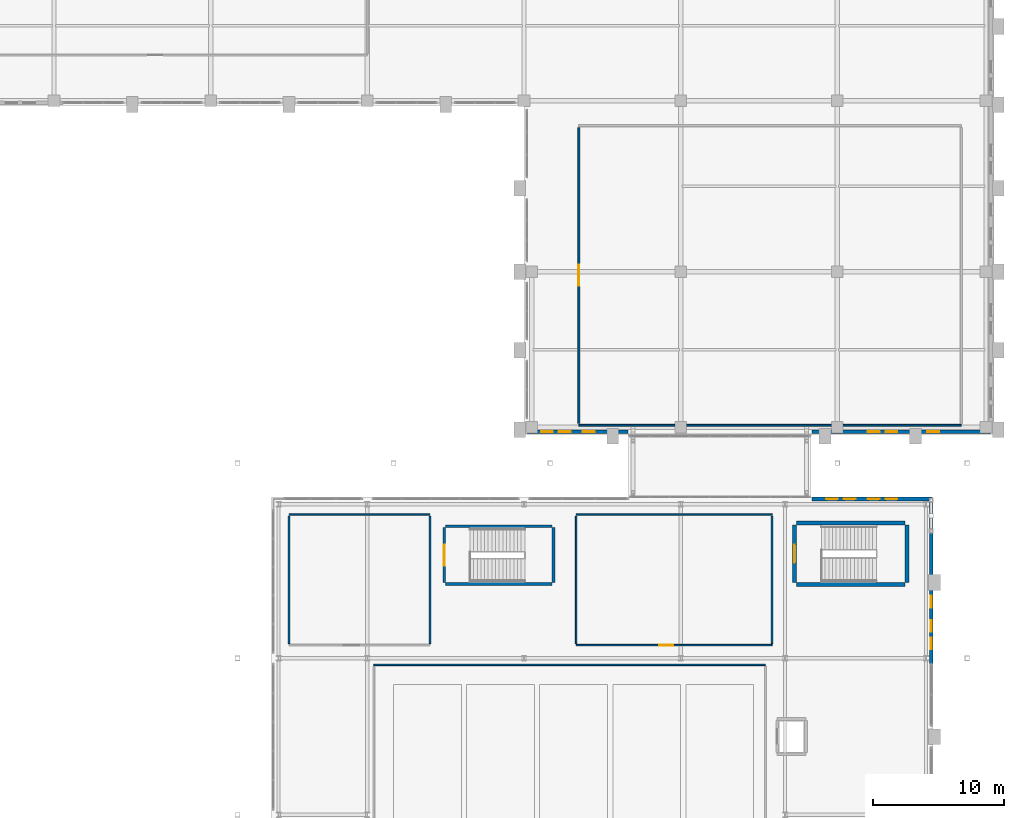
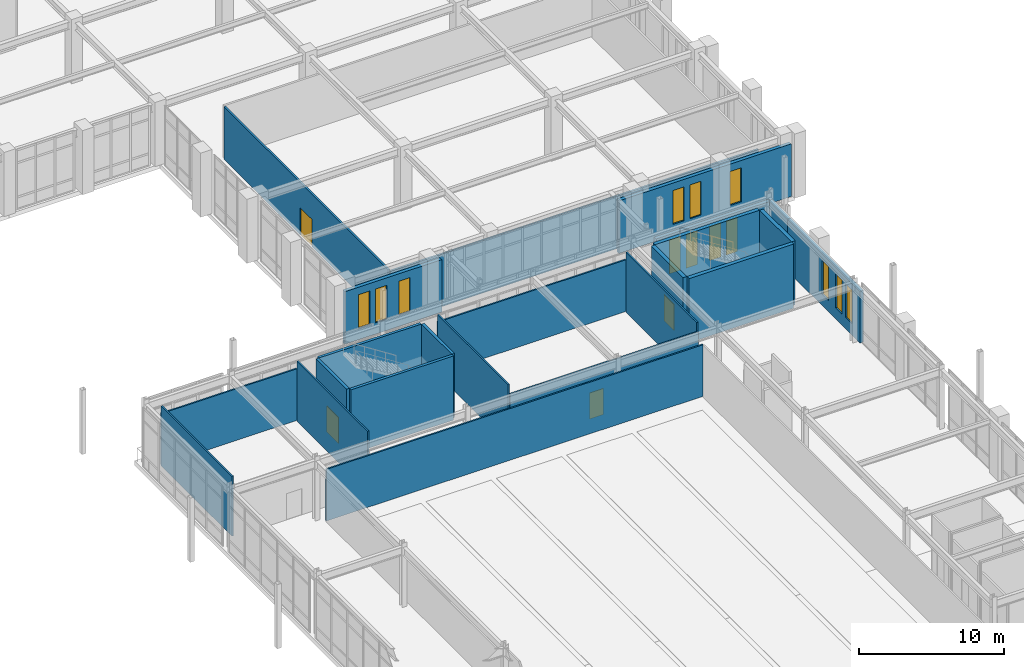
# One storey, part 135 of 159: 23 walls, 13 windows, 4 doors, 17 openings.
"""IFC4 building model written with IfcOpenShell, lengths in metres."""

from ifc_helpers import new_model, si_unit, derived_unit, direction, frame, frame_2d, origin, place, context, subcontext, project, spatial, rectangle, extrude, material, layer, layer_set, type_object, element, fill, save


model = new_model("IFC4")

# Units and contexts
model_context = context("Model", 3, precision=1e-05, world=origin(), true_north=direction((0.0, 1.0)))
body_context = subcontext(model_context, "Body", "Model", "MODEL_VIEW")
ifc_project = project(units=[si_unit("LENGTHUNIT", "METRE"), si_unit("AREAUNIT", "SQUARE_METRE"), si_unit("VOLUMEUNIT", "CUBIC_METRE"), si_unit("PLANEANGLEUNIT", "RADIAN"), si_unit("MASSUNIT", "GRAM", prefix="KILO"), derived_unit("THERMALTRANSMITTANCEUNIT", [(si_unit("MASSUNIT", "GRAM", prefix="KILO"), 1), (si_unit("TIMEUNIT", "SECOND"), -3), (si_unit("THERMODYNAMICTEMPERATUREUNIT", "KELVIN"), -1)])], contexts=[model_context])

# Site, building, storey
site_placement = place(None, origin())
site = spatial("IfcSite", under=ifc_project, at=site_placement, CompositionType="ELEMENT")
building_placement = place(site_placement, origin())
building = spatial("IfcBuilding", under=site, at=building_placement, Name="Valcora Ridge Arena", CompositionType="ELEMENT")
storey_placement = place(building_placement, frame((0.0, 0.0, 6.0)))
storey = spatial("IfcBuildingStorey", under=building, at=storey_placement, Name="L01", CompositionType="ELEMENT", Elevation=6.0)

# Wall, openings, windows
ifc_material_1 = material(Name="Bush-hammered Andean travertine on concrete backup C40/50", Category="masonry")
ifc_layer_1 = layer(ifc_material_1, 0.280029296875, Name="Bush-hammered Andean travertine on concrete backup C40/50")
ifc_layer_set_1 = layer_set([ifc_layer_1], Name="Bush-hammered Andean travertine on concrete backup C40/50")
wall_type_1 = type_object("IfcWallType", Name="TY-WALL-EW-TRV-28-43", PredefinedType="STANDARD", material=ifc_layer_set_1)
wall_1_placement = place(storey_placement, frame((187.199951171875, 65.580078125, 0.0), z_axis=(0.0, 0.0, 1.0), x_axis=(0.0, 1.0, 0.0)))
wall_1 = element("IfcWall", 1, at=wall_1_placement, inside=storey, type_object=wall_type_1, Name="EW-TRV-28-43 WAL-EW-0017", PredefinedType="STANDARD", context=body_context, shape_type="SweptSolid", body=[
    extrude(rectangle(XDim=10.02001953125, YDim=0.280029296875, at=frame_2d((5.010009765625, 0.0))), origin(), (0.0, 0.0, 1.0), 4.346923828125),
])
opening_1_placement = place(wall_1_placement, frame((1.10009765625, 0.0, 0.949951171875)))
opening_1 = element("IfcOpeningElement", 2, at=opening_1_placement, cuts=wall_1, Name="Opening W-GLAN-90X285", PredefinedType="OPENING", context=body_context, shape_type="SweptSolid", body=[
    extrude(rectangle(XDim=0.89990234375, YDim=2.85009765625, at=frame_2d((0.449951171875, 1.425048828125))), frame((0.0, 0.14990234375, 0.0), z_axis=(0.0, -1.0, 0.0), x_axis=(1.0, 0.0, 0.0)), (0.0, 0.0, 1.0), 0.300048828125),
])
opening_2_placement = place(wall_1_placement, frame((2.449951171875, 0.0, 0.949951171875)))
opening_2 = element("IfcOpeningElement", 3, at=opening_2_placement, cuts=wall_1, Name="Opening W-GLAN-90X285", PredefinedType="OPENING", context=body_context, shape_type="SweptSolid", body=[
    extrude(rectangle(XDim=0.89990234375, YDim=2.85009765625, at=frame_2d((0.449951171875, 1.425048828125))), frame((0.0, 0.14990234375, 0.0), z_axis=(0.0, -1.0, 0.0), x_axis=(1.0, 0.0, 0.0)), (0.0, 0.0, 1.0), 0.300048828125),
])
opening_3_placement = place(wall_1_placement, frame((4.300048828125, 0.0, 0.949951171875)))
opening_3 = element("IfcOpeningElement", 4, at=opening_3_placement, cuts=wall_1, Name="Opening W-GLAN-90X285", PredefinedType="OPENING", context=body_context, shape_type="SweptSolid", body=[
    extrude(rectangle(XDim=0.89990234375, YDim=2.85009765625, at=frame_2d((0.449951171875, 1.425048828125))), frame((0.0, 0.14990234375, 0.0), z_axis=(0.0, -1.0, 0.0), x_axis=(1.0, 0.0, 0.0)), (0.0, 0.0, 1.0), 0.300048828125),
])
ifc_material_2 = material(Name="Low-iron solar-control double glazing SHGC 0.28", Category="glass")
window_type = type_object("IfcWindowType", Name="TY-WINDOW-W-GLAN-90X285", PartitioningType="DOUBLE_PANEL_VERTICAL", PredefinedType="WINDOW", material=ifc_material_2)
window_1_placement = place(opening_1_placement, origin())
window_1 = element("IfcWindow", 5, at=window_1_placement, inside=storey, type_object=window_type, Name="W-GLAN-90X285 WIN-EX-0008", OverallHeight=2.85009765625, OverallWidth=0.89990234375, PartitioningType="DOUBLE_PANEL_VERTICAL", PredefinedType="WINDOW", context=body_context, shape_type="SweptSolid", body=[
    extrude(rectangle(XDim=0.89990234375, YDim=2.85009765625, at=frame_2d((0.449951171875, 1.425048828125))), frame((0.0, 0.030029296875, 0.0), z_axis=(0.0, -1.0, 0.0), x_axis=(1.0, 0.0, 0.0)), (0.0, 0.0, 1.0), 0.06005859375),
])
fill(opening_1, window_1)
window_2_placement = place(opening_2_placement, origin())
window_2 = element("IfcWindow", 6, at=window_2_placement, inside=storey, type_object=window_type, Name="W-GLAN-90X285 WIN-EX-0009", OverallHeight=2.85009765625, OverallWidth=0.89990234375, PartitioningType="DOUBLE_PANEL_VERTICAL", PredefinedType="WINDOW", context=body_context, shape_type="SweptSolid", body=[
    extrude(rectangle(XDim=0.89990234375, YDim=2.85009765625, at=frame_2d((0.449951171875, 1.425048828125))), frame((0.0, 0.030029296875, 0.0), z_axis=(0.0, -1.0, 0.0), x_axis=(1.0, 0.0, 0.0)), (0.0, 0.0, 1.0), 0.06005859375),
])
fill(opening_2, window_2)
window_3_placement = place(opening_3_placement, origin())
window_3 = element("IfcWindow", 7, at=window_3_placement, inside=storey, type_object=window_type, Name="W-GLAN-90X285 WIN-EX-0010", OverallHeight=2.85009765625, OverallWidth=0.89990234375, PartitioningType="DOUBLE_PANEL_VERTICAL", PredefinedType="WINDOW", context=body_context, shape_type="SweptSolid", body=[
    extrude(rectangle(XDim=0.89990234375, YDim=2.85009765625, at=frame_2d((0.449951171875, 1.425048828125))), frame((0.0, 0.030029296875, 0.0), z_axis=(0.0, -1.0, 0.0), x_axis=(1.0, 0.0, 0.0)), (0.0, 0.0, 1.0), 0.06005859375),
])
fill(opening_3, window_3)

# Wall
wall_2_placement = place(storey_placement, frame((187.199951171875, 75.60009765625, 0.0), z_axis=(0.0, 0.0, 1.0), x_axis=(0.0, 1.0, 0.0)))
element("IfcWall", 8, at=wall_2_placement, inside=storey, type_object=wall_type_1, Name="EW-TRV-28-43 WAL-EW-0018", PredefinedType="STANDARD", context=body_context, shape_type="SweptSolid", body=[
    extrude(rectangle(XDim=2.599853515625, YDim=0.280029296875, at=frame_2d((1.2998046875, 0.0))), origin(), (0.0, 0.0, 1.0), 4.346923828125),
])

# Wall, openings, windows
wall_3_placement = place(storey_placement, frame((178.050048828125, 78.199951171875, 0.0), z_axis=(0.0, 0.0, 1.0), x_axis=(1.0, 0.0, 0.0)))
wall_3 = element("IfcWall", 9, at=wall_3_placement, inside=storey, type_object=wall_type_1, Name="EW-TRV-28-43 WAL-EW-0019", PredefinedType="STANDARD", context=body_context, shape_type="SweptSolid", body=[
    extrude(rectangle(XDim=9.14990234375, YDim=0.280029296875, at=frame_2d((4.574951171875, 0.0))), origin(), (0.0, 0.0, 1.0), 4.346923828125),
])
opening_4_placement = place(wall_3_placement, frame((1.10009765625, 0.0, 0.949951171875)))
opening_4 = element("IfcOpeningElement", 10, at=opening_4_placement, cuts=wall_3, Name="Opening W-GLAN-90X285", PredefinedType="OPENING", context=body_context, shape_type="SweptSolid", body=[
    extrude(rectangle(XDim=0.89990234375, YDim=2.85009765625, at=frame_2d((0.449951171875, 1.425048828125))), frame((0.0, 0.14990234375, 0.0), z_axis=(0.0, -1.0, 0.0), x_axis=(1.0, 0.0, 0.0)), (0.0, 0.0, 1.0), 0.300048828125),
])
opening_5_placement = place(wall_3_placement, frame((2.449951171875, 0.0, 0.949951171875)))
opening_5 = element("IfcOpeningElement", 11, at=opening_5_placement, cuts=wall_3, Name="Opening W-GLAN-90X285", PredefinedType="OPENING", context=body_context, shape_type="SweptSolid", body=[
    extrude(rectangle(XDim=0.89990234375, YDim=2.85009765625, at=frame_2d((0.449951171875, 1.425048828125))), frame((0.0, 0.14990234375, 0.0), z_axis=(0.0, -1.0, 0.0), x_axis=(1.0, 0.0, 0.0)), (0.0, 0.0, 1.0), 0.300048828125),
])
opening_6_placement = place(wall_3_placement, frame((4.300048828125, 0.0, 0.949951171875)))
opening_6 = element("IfcOpeningElement", 12, at=opening_6_placement, cuts=wall_3, Name="Opening W-GLAN-90X285", PredefinedType="OPENING", context=body_context, shape_type="SweptSolid", body=[
    extrude(rectangle(XDim=0.89990234375, YDim=2.85009765625, at=frame_2d((0.449951171875, 1.425048828125))), frame((0.0, 0.14990234375, 0.0), z_axis=(0.0, -1.0, 0.0), x_axis=(1.0, 0.0, 0.0)), (0.0, 0.0, 1.0), 0.300048828125),
])
opening_7_placement = place(wall_3_placement, frame((5.64990234375, 0.0, 0.949951171875)))
opening_7 = element("IfcOpeningElement", 13, at=opening_7_placement, cuts=wall_3, Name="Opening W-GLAN-90X285", PredefinedType="OPENING", context=body_context, shape_type="SweptSolid", body=[
    extrude(rectangle(XDim=0.89990234375, YDim=2.85009765625, at=frame_2d((0.449951171875, 1.425048828125))), frame((0.0, 0.14990234375, 0.0), z_axis=(0.0, -1.0, 0.0), x_axis=(1.0, 0.0, 0.0)), (0.0, 0.0, 1.0), 0.300048828125),
])
window_4_placement = place(opening_4_placement, origin())
window_4 = element("IfcWindow", 14, at=window_4_placement, inside=storey, type_object=window_type, Name="W-GLAN-90X285 WIN-EX-0011", OverallHeight=2.85009765625, OverallWidth=0.89990234375, PartitioningType="DOUBLE_PANEL_VERTICAL", PredefinedType="WINDOW", context=body_context, shape_type="SweptSolid", body=[
    extrude(rectangle(XDim=0.89990234375, YDim=2.85009765625, at=frame_2d((0.449951171875, 1.425048828125))), frame((0.0, 0.030029296875, 0.0), z_axis=(0.0, -1.0, 0.0), x_axis=(1.0, 0.0, 0.0)), (0.0, 0.0, 1.0), 0.06005859375),
])
fill(opening_4, window_4)
window_5_placement = place(opening_5_placement, origin())
window_5 = element("IfcWindow", 15, at=window_5_placement, inside=storey, type_object=window_type, Name="W-GLAN-90X285 WIN-EX-0012", OverallHeight=2.85009765625, OverallWidth=0.89990234375, PartitioningType="DOUBLE_PANEL_VERTICAL", PredefinedType="WINDOW", context=body_context, shape_type="SweptSolid", body=[
    extrude(rectangle(XDim=0.89990234375, YDim=2.85009765625, at=frame_2d((0.449951171875, 1.425048828125))), frame((0.0, 0.030029296875, 0.0), z_axis=(0.0, -1.0, 0.0), x_axis=(1.0, 0.0, 0.0)), (0.0, 0.0, 1.0), 0.06005859375),
])
fill(opening_5, window_5)
window_6_placement = place(opening_6_placement, origin())
window_6 = element("IfcWindow", 16, at=window_6_placement, inside=storey, type_object=window_type, Name="W-GLAN-90X285 WIN-EX-0013", OverallHeight=2.85009765625, OverallWidth=0.89990234375, PartitioningType="DOUBLE_PANEL_VERTICAL", PredefinedType="WINDOW", context=body_context, shape_type="SweptSolid", body=[
    extrude(rectangle(XDim=0.89990234375, YDim=2.85009765625, at=frame_2d((0.449951171875, 1.425048828125))), frame((0.0, 0.030029296875, 0.0), z_axis=(0.0, -1.0, 0.0), x_axis=(1.0, 0.0, 0.0)), (0.0, 0.0, 1.0), 0.06005859375),
])
fill(opening_6, window_6)
window_7_placement = place(opening_7_placement, origin())
window_7 = element("IfcWindow", 17, at=window_7_placement, inside=storey, type_object=window_type, Name="W-GLAN-90X285 WIN-EX-0014", OverallHeight=2.85009765625, OverallWidth=0.89990234375, PartitioningType="DOUBLE_PANEL_VERTICAL", PredefinedType="WINDOW", context=body_context, shape_type="SweptSolid", body=[
    extrude(rectangle(XDim=0.89990234375, YDim=2.85009765625, at=frame_2d((0.449951171875, 1.425048828125))), frame((0.0, 0.030029296875, 0.0), z_axis=(0.0, -1.0, 0.0), x_axis=(1.0, 0.0, 0.0)), (0.0, 0.0, 1.0), 0.06005859375),
])
fill(opening_7, window_7)

ifc_layer_2 = layer(ifc_material_1, 0.280029296875, Name="Bush-hammered Andean travertine on concrete backup C40/50")
ifc_layer_set_2 = layer_set([ifc_layer_2], Name="Bush-hammered Andean travertine on concrete backup C40/50")
wall_type_2 = type_object("IfcWallType", Name="TY-WALL-EW-TRV-28-44", PredefinedType="STANDARD", material=ifc_layer_set_2)
wall_4_placement = place(storey_placement, frame((156.219970703125, 83.35009765625, 0.0), z_axis=(0.0, 0.0, 1.0), x_axis=(1.0, 0.0, 0.0)))
wall_4 = element("IfcWall", 18, at=wall_4_placement, inside=storey, type_object=wall_type_2, Name="EW-TRV-28-44 WAL-EW-0163", PredefinedType="STANDARD", context=body_context, shape_type="SweptSolid", body=[
    extrude(rectangle(XDim=7.72998046875, YDim=0.280029296875, at=frame_2d((3.864990234375, 0.0))), origin(), (0.0, 0.0, 1.0), 4.427978515625),
])
opening_8_placement = place(wall_4_placement, frame((1.10009765625, 0.0, 0.949951171875)))
opening_8 = element("IfcOpeningElement", 19, at=opening_8_placement, cuts=wall_4, Name="Opening W-GLAN-90X285", PredefinedType="OPENING", context=body_context, shape_type="SweptSolid", body=[
    extrude(rectangle(XDim=0.89990234375, YDim=2.85009765625, at=frame_2d((0.449951171875, 1.425048828125))), frame((0.0, 0.14990234375, 0.0), z_axis=(0.0, -1.0, 0.0), x_axis=(1.0, 0.0, 0.0)), (0.0, 0.0, 1.0), 0.300048828125),
])
opening_9_placement = place(wall_4_placement, frame((2.449951171875, 0.0, 0.949951171875)))
opening_9 = element("IfcOpeningElement", 20, at=opening_9_placement, cuts=wall_4, Name="Opening W-GLAN-90X285", PredefinedType="OPENING", context=body_context, shape_type="SweptSolid", body=[
    extrude(rectangle(XDim=0.89990234375, YDim=2.85009765625, at=frame_2d((0.449951171875, 1.425048828125))), frame((0.0, 0.14990234375, 0.0), z_axis=(0.0, -1.0, 0.0), x_axis=(1.0, 0.0, 0.0)), (0.0, 0.0, 1.0), 0.300048828125),
])
opening_10_placement = place(wall_4_placement, frame((4.300048828125, 0.0, 0.949951171875)))
opening_10 = element("IfcOpeningElement", 21, at=opening_10_placement, cuts=wall_4, Name="Opening W-GLAN-90X285", PredefinedType="OPENING", context=body_context, shape_type="SweptSolid", body=[
    extrude(rectangle(XDim=0.89990234375, YDim=2.85009765625, at=frame_2d((0.449951171875, 1.425048828125))), frame((0.0, 0.14990234375, 0.0), z_axis=(0.0, -1.0, 0.0), x_axis=(1.0, 0.0, 0.0)), (0.0, 0.0, 1.0), 0.300048828125),
])
window_8_placement = place(opening_8_placement, origin())
window_8 = element("IfcWindow", 22, at=window_8_placement, inside=storey, type_object=window_type, Name="W-GLAN-90X285 WIN-EX-0494", OverallHeight=2.85009765625, OverallWidth=0.89990234375, PartitioningType="DOUBLE_PANEL_VERTICAL", PredefinedType="WINDOW", context=body_context, shape_type="SweptSolid", body=[
    extrude(rectangle(XDim=0.89990234375, YDim=2.85009765625, at=frame_2d((0.449951171875, 1.425048828125))), frame((0.0, 0.030029296875, 0.0), z_axis=(0.0, -1.0, 0.0), x_axis=(1.0, 0.0, 0.0)), (0.0, 0.0, 1.0), 0.06005859375),
])
fill(opening_8, window_8)
window_9_placement = place(opening_9_placement, origin())
window_9 = element("IfcWindow", 23, at=window_9_placement, inside=storey, type_object=window_type, Name="W-GLAN-90X285 WIN-EX-0495", OverallHeight=2.85009765625, OverallWidth=0.89990234375, PartitioningType="DOUBLE_PANEL_VERTICAL", PredefinedType="WINDOW", context=body_context, shape_type="SweptSolid", body=[
    extrude(rectangle(XDim=0.89990234375, YDim=2.85009765625, at=frame_2d((0.449951171875, 1.425048828125))), frame((0.0, 0.030029296875, 0.0), z_axis=(0.0, -1.0, 0.0), x_axis=(1.0, 0.0, 0.0)), (0.0, 0.0, 1.0), 0.06005859375),
])
fill(opening_9, window_9)
window_10_placement = place(opening_10_placement, origin())
window_10 = element("IfcWindow", 24, at=window_10_placement, inside=storey, type_object=window_type, Name="W-GLAN-90X285 WIN-EX-0496", OverallHeight=2.85009765625, OverallWidth=0.89990234375, PartitioningType="DOUBLE_PANEL_VERTICAL", PredefinedType="WINDOW", context=body_context, shape_type="SweptSolid", body=[
    extrude(rectangle(XDim=0.89990234375, YDim=2.85009765625, at=frame_2d((0.449951171875, 1.425048828125))), frame((0.0, 0.030029296875, 0.0), z_axis=(0.0, -1.0, 0.0), x_axis=(1.0, 0.0, 0.0)), (0.0, 0.0, 1.0), 0.06005859375),
])
fill(opening_10, window_10)

wall_5_placement = place(storey_placement, frame((178.050048828125, 83.35009765625, 0.0), z_axis=(0.0, 0.0, 1.0), x_axis=(1.0, 0.0, 0.0)))
wall_5 = element("IfcWall", 25, at=wall_5_placement, inside=storey, type_object=wall_type_2, Name="EW-TRV-28-44 WAL-EW-0164", PredefinedType="STANDARD", context=body_context, shape_type="SweptSolid", body=[
    extrude(rectangle(XDim=13.72998046875, YDim=0.280029296875, at=frame_2d((6.864990234375, 0.0))), origin(), (0.0, 0.0, 1.0), 4.427978515625),
])
opening_11_placement = place(wall_5_placement, frame((4.300048828125, 0.0, 0.949951171875)))
opening_11 = element("IfcOpeningElement", 26, at=opening_11_placement, cuts=wall_5, Name="Opening W-GLAN-90X285", PredefinedType="OPENING", context=body_context, shape_type="SweptSolid", body=[
    extrude(rectangle(XDim=0.89990234375, YDim=2.85009765625, at=frame_2d((0.449951171875, 1.425048828125))), frame((0.0, 0.14990234375, 0.0), z_axis=(0.0, -1.0, 0.0), x_axis=(1.0, 0.0, 0.0)), (0.0, 0.0, 1.0), 0.300048828125),
])
opening_12_placement = place(wall_5_placement, frame((5.64990234375, 0.0, 0.949951171875)))
opening_12 = element("IfcOpeningElement", 27, at=opening_12_placement, cuts=wall_5, Name="Opening W-GLAN-90X285", PredefinedType="OPENING", context=body_context, shape_type="SweptSolid", body=[
    extrude(rectangle(XDim=0.89990234375, YDim=2.85009765625, at=frame_2d((0.449951171875, 1.425048828125))), frame((0.0, 0.14990234375, 0.0), z_axis=(0.0, -1.0, 0.0), x_axis=(1.0, 0.0, 0.0)), (0.0, 0.0, 1.0), 0.300048828125),
])
opening_13_placement = place(wall_5_placement, frame((8.85009765625, 0.0, 0.949951171875)))
opening_13 = element("IfcOpeningElement", 28, at=opening_13_placement, cuts=wall_5, Name="Opening W-GLAN-90X285", PredefinedType="OPENING", context=body_context, shape_type="SweptSolid", body=[
    extrude(rectangle(XDim=0.89990234375, YDim=2.85009765625, at=frame_2d((0.449951171875, 1.425048828125))), frame((0.0, 0.14990234375, 0.0), z_axis=(0.0, -1.0, 0.0), x_axis=(1.0, 0.0, 0.0)), (0.0, 0.0, 1.0), 0.300048828125),
])
window_11_placement = place(opening_11_placement, origin())
window_11 = element("IfcWindow", 29, at=window_11_placement, inside=storey, type_object=window_type, Name="W-GLAN-90X285 WIN-EX-0497", OverallHeight=2.85009765625, OverallWidth=0.89990234375, PartitioningType="DOUBLE_PANEL_VERTICAL", PredefinedType="WINDOW", context=body_context, shape_type="SweptSolid", body=[
    extrude(rectangle(XDim=0.89990234375, YDim=2.85009765625, at=frame_2d((0.449951171875, 1.425048828125))), frame((0.0, 0.030029296875, 0.0), z_axis=(0.0, -1.0, 0.0), x_axis=(1.0, 0.0, 0.0)), (0.0, 0.0, 1.0), 0.06005859375),
])
fill(opening_11, window_11)
window_12_placement = place(opening_12_placement, origin())
window_12 = element("IfcWindow", 30, at=window_12_placement, inside=storey, type_object=window_type, Name="W-GLAN-90X285 WIN-EX-0498", OverallHeight=2.85009765625, OverallWidth=0.89990234375, PartitioningType="DOUBLE_PANEL_VERTICAL", PredefinedType="WINDOW", context=body_context, shape_type="SweptSolid", body=[
    extrude(rectangle(XDim=0.89990234375, YDim=2.85009765625, at=frame_2d((0.449951171875, 1.425048828125))), frame((0.0, 0.030029296875, 0.0), z_axis=(0.0, -1.0, 0.0), x_axis=(1.0, 0.0, 0.0)), (0.0, 0.0, 1.0), 0.06005859375),
])
fill(opening_12, window_12)
window_13_placement = place(opening_13_placement, origin())
window_13 = element("IfcWindow", 31, at=window_13_placement, inside=storey, type_object=window_type, Name="W-GLAN-90X285 WIN-EX-0499", OverallHeight=2.85009765625, OverallWidth=0.89990234375, PartitioningType="DOUBLE_PANEL_VERTICAL", PredefinedType="WINDOW", context=body_context, shape_type="SweptSolid", body=[
    extrude(rectangle(XDim=0.89990234375, YDim=2.85009765625, at=frame_2d((0.449951171875, 1.425048828125))), frame((0.0, 0.030029296875, 0.0), z_axis=(0.0, -1.0, 0.0), x_axis=(1.0, 0.0, 0.0)), (0.0, 0.0, 1.0), 0.06005859375),
])
fill(opening_13, window_13)

# Wall
ifc_material_3 = material(Name="Fire-rated masonry-core compartment wall C35/45 150 mm", Category="masonry")
ifc_layer_3 = layer(ifc_material_3, 0.14990234375, Name="Fire-rated masonry-core compartment wall C35/45 150 mm")
ifc_layer_set_3 = layer_set([ifc_layer_3], Name="Fire-rated masonry-core compartment wall C35/45 150 mm")
wall_type_3 = type_object("IfcWallType", Name="TY-WALL-IW-COMP-150", PredefinedType="STANDARD", material=ifc_layer_set_3)
wall_6_placement = place(storey_placement, frame((160.199951171875, 83.85009765625, 0.0), z_axis=(0.0, 0.0, 1.0), x_axis=(1.0, 0.0, 0.0)))
element("IfcWall", 32, at=wall_6_placement, inside=storey, type_object=wall_type_3, Name="IW-COMP-150 WAL-IN-0345", PredefinedType="STANDARD", context=body_context, shape_type="SweptSolid", body=[
    extrude(rectangle(XDim=29.300048828125, YDim=0.14990234375, at=frame_2d((14.64990234375, 0.0))), origin(), (0.0, 0.0, 1.0), 4.427978515625),
])

# Wall, opening, door
wall_7_placement = place(storey_placement, frame((160.199951171875, 84.0, 0.0), z_axis=(0.0, 0.0, 1.0), x_axis=(0.0, 1.0, 0.0)))
wall_7 = element("IfcWall", 33, at=wall_7_placement, inside=storey, type_object=wall_type_3, Name="IW-COMP-150 WAL-IN-0347", PredefinedType="STANDARD", context=body_context, shape_type="SweptSolid", body=[
    extrude(rectangle(XDim=22.64990234375, YDim=0.14990234375, at=frame_2d((11.324951171875, 0.0))), origin(), (0.0, 0.0, 1.0), 4.427978515625),
])
opening_14_placement = place(wall_7_placement, frame((10.52490234375, 0.0, 0.0)))
opening_14 = element("IfcOpeningElement", 34, at=opening_14_placement, cuts=wall_7, Name="Opening FD-SRV-1600", PredefinedType="OPENING", context=body_context, shape_type="SweptSolid", body=[
    extrude(rectangle(XDim=1.60009765625, YDim=2.300048828125, at=frame_2d((0.800048828125, 1.14990234375))), frame((0.0, 0.0849609375, 0.0), z_axis=(0.0, -1.0, 0.0), x_axis=(1.0, 0.0, 0.0)), (0.0, 0.0, 1.0), 0.169921875),
])
ifc_material_4 = material(Name="Insulated fire-rated steel door leaf", Category="steel")
door_type_1 = type_object("IfcDoorType", Name="TY-DOOR-FD-SRV-1600", OperationType="NOTDEFINED", PredefinedType="DOOR", material=ifc_material_4)
door_1_placement = place(opening_14_placement, origin())
door_1 = element("IfcDoor", 35, at=door_1_placement, inside=storey, type_object=door_type_1, Name="FD-SRV-1600 DOR-IN-0091", OperationType="DOUBLE_DOOR_SINGLE_SWING", OverallHeight=2.300048828125, OverallWidth=1.60009765625, PredefinedType="DOOR", context=body_context, shape_type="SweptSolid", body=[
    extrude(rectangle(XDim=1.60009765625, YDim=2.300048828125, at=frame_2d((0.800048828125, 1.14990234375))), frame((0.0, 0.02490234375, 0.0), z_axis=(0.0, -1.0, 0.0), x_axis=(1.0, 0.0, 0.0)), (0.0, 0.0, 1.0), 0.050048828125),
])
fill(opening_14, door_1)

# Walls
ifc_material_5 = material(Name="Acoustic metal-stud gypsum partition 120 mm")
ifc_layer_4 = layer(ifc_material_5, 0.1201171875, Name="Acoustic metal-stud gypsum partition 120 mm")
ifc_layer_set_4 = layer_set([ifc_layer_4], Name="Acoustic metal-stud gypsum partition 120 mm")
wall_type_4 = type_object("IfcWallType", Name="TY-WALL-IW-PART-120", PredefinedType="PARTITIONING", material=ifc_layer_set_4)
wall_8_placement = place(storey_placement, frame((144.5, 65.5, 0.0), z_axis=(0.0, 0.0, 1.0), x_axis=(1.0, 0.0, 0.0)))
element("IfcWall", 36, at=wall_8_placement, inside=storey, type_object=wall_type_4, Name="IW-PART-120 WAL-IN-0302", PredefinedType="PARTITIONING", context=body_context, shape_type="SweptSolid", body=[
    extrude(rectangle(XDim=30.0, YDim=0.1201171875, at=frame_2d((15.0, 0.0))), origin(), (0.0, 0.0, 1.0), 4.346923828125),
])
wall_9_placement = place(storey_placement, frame((138.0, 77.0, 0.0), z_axis=(0.0, 0.0, 1.0), x_axis=(1.0, 0.0, 0.0)))
element("IfcWall", 37, at=wall_9_placement, inside=storey, type_object=wall_type_4, Name="IW-PART-120 WAL-IN-0306", PredefinedType="PARTITIONING", context=body_context, shape_type="SweptSolid", body=[
    extrude(rectangle(XDim=10.800048828125, YDim=0.1201171875, at=frame_2d((5.39990234375, 0.0))), origin(), (0.0, 0.0, 1.0), 4.346923828125),
])
for number, where, z_axis, x_axis, name in (
    (38, (138.0, 67.1201171875, 0.0), (0.0, 0.0, 1.0), (0.0, 1.0, 0.0), "IW-PART-120 WAL-IN-0307"),
    (39, (148.800048828125, 67.1201171875, 0.0), (0.0, 0.0, 1.0), (0.0, 1.0, 0.0), "IW-PART-120 WAL-IN-0308"),
):
    element("IfcWall", number, at=place(storey_placement, frame(where, z_axis=z_axis, x_axis=x_axis)), inside=storey, type_object=wall_type_4, Name=name, PredefinedType="PARTITIONING", context=body_context, shape_type="SweptSolid", body=[
        extrude(rectangle(XDim=9.759765625, YDim=0.1201171875, at=frame_2d((4.8798828125, 0.0))), origin(), (0.0, 0.0, 1.0), 5.0400390625),
    ])

# Wall, opening, door
wall_10_placement = place(storey_placement, frame((160.0, 67.0, 0.0), z_axis=(0.0, 0.0, 1.0), x_axis=(1.0, 0.0, 0.0)))
wall_10 = element("IfcWall", 40, at=wall_10_placement, inside=storey, type_object=wall_type_4, Name="IW-PART-120 WAL-IN-0309", PredefinedType="PARTITIONING", context=body_context, shape_type="SweptSolid", body=[
    extrude(rectangle(XDim=15.0, YDim=0.1201171875, at=frame_2d((7.5, 0.0))), origin(), (0.0, 0.0, 1.0), 4.346923828125),
])
opening_15_placement = place(wall_10_placement, frame((6.35009765625, 0.0, 0.0)))
opening_15 = element("IfcOpeningElement", 41, at=opening_15_placement, cuts=wall_10, Name="Opening D-INT-1100", PredefinedType="OPENING", context=body_context, shape_type="SweptSolid", body=[
    extrude(rectangle(XDim=1.10009765625, YDim=2.199951171875, at=frame_2d((0.550048828125, 1.10009765625))), frame((0.0, 0.070068359375, 0.0), z_axis=(0.0, -1.0, 0.0), x_axis=(1.0, 0.0, 0.0)), (0.0, 0.0, 1.0), 0.14013671875),
])
ifc_material_6 = material(Name="Solid-core acoustic timber veneer door leaf", Category="wood")
door_type_2 = type_object("IfcDoorType", Name="TY-DOOR-D-INT-1100", OperationType="NOTDEFINED", PredefinedType="DOOR", material=ifc_material_6)
door_2_placement = place(opening_15_placement, origin())
door_2 = element("IfcDoor", 42, at=door_2_placement, inside=storey, type_object=door_type_2, Name="D-INT-1100 DOR-IN-0082", OperationType="SINGLE_SWING_RIGHT", OverallHeight=2.199951171875, OverallWidth=1.10009765625, PredefinedType="DOOR", context=body_context, shape_type="SweptSolid", body=[
    extrude(rectangle(XDim=1.10009765625, YDim=2.199951171875, at=frame_2d((0.550048828125, 1.10009765625))), frame((0.0, 0.02490234375, 0.0), z_axis=(0.0, -1.0, 0.0), x_axis=(1.0, 0.0, 0.0)), (0.0, 0.0, 1.0), 0.050048828125),
])
fill(opening_15, door_2)

# Walls
wall_11_placement = place(storey_placement, frame((160.0, 77.0, 0.0), z_axis=(0.0, 0.0, 1.0), x_axis=(1.0, 0.0, 0.0)))
element("IfcWall", 43, at=wall_11_placement, inside=storey, type_object=wall_type_4, Name="IW-PART-120 WAL-IN-0310", PredefinedType="PARTITIONING", context=body_context, shape_type="SweptSolid", body=[
    extrude(rectangle(XDim=15.0, YDim=0.1201171875, at=frame_2d((7.5, 0.0))), origin(), (0.0, 0.0, 1.0), 4.346923828125),
])
for number, where, z_axis, x_axis, name in (
    (44, (160.0, 67.1201171875, 0.0), (0.0, 0.0, 1.0), (0.0, 1.0, 0.0), "IW-PART-120 WAL-IN-0311"),
    (45, (175.0, 67.1201171875, 0.0), (0.0, 0.0, 1.0), (0.0, 1.0, 0.0), "IW-PART-120 WAL-IN-0312"),
):
    element("IfcWall", number, at=place(storey_placement, frame(where, z_axis=z_axis, x_axis=x_axis)), inside=storey, type_object=wall_type_4, Name=name, PredefinedType="PARTITIONING", context=body_context, shape_type="SweptSolid", body=[
        extrude(rectangle(XDim=9.759765625, YDim=0.1201171875, at=frame_2d((4.8798828125, 0.0))), origin(), (0.0, 0.0, 1.0), 5.0400390625),
    ])
ifc_material_7 = material(Name="Concrete C45/55", Category="concrete")
ifc_layer_5 = layer(ifc_material_7, 0.300048828125, Name="Concrete C45/55")
ifc_layer_set_5 = layer_set([ifc_layer_5], Name="Concrete C45/55")
wall_type_5 = type_object("IfcWallType", Name="TY-WALL-SW-C300-L", PredefinedType="SHEAR", material=ifc_layer_set_5)
for number, where, z_axis, x_axis, name in (
    (46, (176.8798828125, 71.64990234375, 0.0), (0.0, 0.0, 1.0), (1.0, 0.0, 0.0), "SW-C300-L WAL-CR-0233"),
    (47, (176.8798828125, 76.35009765625, 0.0), (0.0, 0.0, 1.0), (1.0, 0.0, 0.0), "SW-C300-L WAL-CR-0234"),
):
    element("IfcWall", number, at=place(storey_placement, frame(where, z_axis=z_axis, x_axis=x_axis)), inside=storey, type_object=wall_type_5, Name=name, PredefinedType="SHEAR", context=body_context, shape_type="SweptSolid", body=[
        extrude(rectangle(XDim=8.320068359375, YDim=0.300048828125, at=frame_2d((4.16015625, 0.0))), origin(), (0.0, 0.0, 1.0), 5.39990234375),
    ])

# Wall, opening, door
ifc_layer_6 = layer(ifc_material_7, 0.300048828125, Name="Concrete C45/55")
ifc_layer_set_6 = layer_set([ifc_layer_6], Name="Concrete C45/55")
wall_type_6 = type_object("IfcWallType", Name="TY-WALL-SW-C300-S", PredefinedType="SHEAR", material=ifc_layer_set_6)
wall_12_placement = place(storey_placement, frame((176.72998046875, 71.800048828125, 0.0), z_axis=(0.0, 0.0, 1.0), x_axis=(0.0, 1.0, 0.0)))
wall_12 = element("IfcWall", 48, at=wall_12_placement, inside=storey, type_object=wall_type_6, Name="SW-C300-S WAL-CR-0235", PredefinedType="SHEAR", context=body_context, shape_type="SweptSolid", body=[
    extrude(rectangle(XDim=4.39990234375, YDim=0.300048828125, at=frame_2d((2.199951171875, 0.0))), origin(), (0.0, 0.0, 1.0), 5.39990234375),
])
opening_16_placement = place(wall_12_placement, frame((1.5, 0.0, 0.0)))
opening_16 = element("IfcOpeningElement", 49, at=opening_16_placement, cuts=wall_12, Name="Opening FD-01", PredefinedType="OPENING", context=body_context, shape_type="SweptSolid", body=[
    extrude(rectangle(XDim=1.39990234375, YDim=2.199951171875, at=frame_2d((0.699951171875, 1.10009765625))), frame((0.0, 0.159912109375, 0.0), z_axis=(0.0, -1.0, 0.0), x_axis=(1.0, 0.0, 0.0)), (0.0, 0.0, 1.0), 0.320068359375),
])
door_type_3 = type_object("IfcDoorType", Name="TY-DOOR-FD-01", OperationType="NOTDEFINED", PredefinedType="DOOR", material=ifc_material_4)
door_3_placement = place(opening_16_placement, origin())
door_3 = element("IfcDoor", 50, at=door_3_placement, inside=storey, type_object=door_type_3, Name="FD-01 DOR-ST-0059", OperationType="DOUBLE_DOOR_SINGLE_SWING", OverallHeight=2.199951171875, OverallWidth=1.39990234375, PredefinedType="DOOR", context=body_context, shape_type="SweptSolid", body=[
    extrude(rectangle(XDim=1.39990234375, YDim=2.199951171875, at=frame_2d((0.699951171875, 1.10009765625))), frame((0.0, 0.02490234375, 0.0), z_axis=(0.0, -1.0, 0.0), x_axis=(1.0, 0.0, 0.0)), (0.0, 0.0, 1.0), 0.050048828125),
])
fill(opening_16, door_3)

# Walls
wall_13_placement = place(storey_placement, frame((185.35009765625, 71.800048828125, 0.0), z_axis=(0.0, 0.0, 1.0), x_axis=(0.0, 1.0, 0.0)))
element("IfcWall", 51, at=wall_13_placement, inside=storey, type_object=wall_type_6, Name="SW-C300-S WAL-CR-0236", PredefinedType="SHEAR", context=body_context, shape_type="SweptSolid", body=[
    extrude(rectangle(XDim=4.39990234375, YDim=0.300048828125, at=frame_2d((2.199951171875, 0.0))), origin(), (0.0, 0.0, 1.0), 5.39990234375),
])
ifc_material_8 = material(Name="Fire-resisting reinforced concrete enclosure C40/50 200 mm", Category="concrete")
ifc_layer_7 = layer(ifc_material_8, 0.219970703125, Name="Fire-resisting reinforced concrete enclosure C40/50 200 mm")
ifc_layer_set_7 = layer_set([ifc_layer_7], Name="Fire-resisting reinforced concrete enclosure C40/50 200 mm")
wall_type_7 = type_object("IfcWallType", Name="TY-WALL-SW-ES-220", PredefinedType="SHEAR", material=ifc_layer_set_7)
for number, where, z_axis, x_axis, name in (
    (52, (150.0, 71.68994140625, 0.0), (0.0, 0.0, 1.0), (1.0, 0.0, 0.0), "SW-ES-220 WAL-ES-0217"),
    (53, (150.0, 76.110107421875, 0.0), (0.0, 0.0, 1.0), (1.0, 0.0, 0.0), "SW-ES-220 WAL-ES-0218"),
):
    element("IfcWall", number, at=place(storey_placement, frame(where, z_axis=z_axis, x_axis=x_axis)), inside=storey, type_object=wall_type_7, Name=name, PredefinedType="SHEAR", context=body_context, shape_type="SweptSolid", body=[
        extrude(rectangle(XDim=8.159912109375, YDim=0.219970703125, at=frame_2d((4.080078125, 0.0))), origin(), (0.0, 0.0, 1.0), 5.39990234375),
    ])

# Wall, opening, door
wall_14_placement = place(storey_placement, frame((149.889892578125, 71.800048828125, 0.0), z_axis=(0.0, 0.0, 1.0), x_axis=(0.0, 1.0, 0.0)))
wall_14 = element("IfcWall", 54, at=wall_14_placement, inside=storey, type_object=wall_type_7, Name="SW-ES-220 WAL-ES-0219", PredefinedType="SHEAR", context=body_context, shape_type="SweptSolid", body=[
    extrude(rectangle(XDim=4.199951171875, YDim=0.219970703125, at=frame_2d((2.10009765625, 0.0))), origin(), (0.0, 0.0, 1.0), 5.39990234375),
])
opening_17_placement = place(wall_14_placement, frame((1.300048828125, 0.0, 0.0)))
opening_17 = element("IfcOpeningElement", 55, at=opening_17_placement, cuts=wall_14, Name="Opening FD-02", PredefinedType="OPENING", context=body_context, shape_type="SweptSolid", body=[
    extrude(rectangle(XDim=1.60009765625, YDim=2.199951171875, at=frame_2d((0.800048828125, 1.10009765625))), frame((0.0, 0.119873046875, 0.0), z_axis=(0.0, -1.0, 0.0), x_axis=(1.0, 0.0, 0.0)), (0.0, 0.0, 1.0), 0.239990234375),
])
door_type_4 = type_object("IfcDoorType", Name="TY-DOOR-FD-02", OperationType="NOTDEFINED", PredefinedType="DOOR", material=ifc_material_4)
door_4_placement = place(opening_17_placement, origin())
door_4 = element("IfcDoor", 56, at=door_4_placement, inside=storey, type_object=door_type_4, Name="FD-02 DOR-ES-0049", OperationType="DOUBLE_DOOR_SINGLE_SWING", OverallHeight=2.199951171875, OverallWidth=1.60009765625, PredefinedType="DOOR", context=body_context, shape_type="SweptSolid", body=[
    extrude(rectangle(XDim=1.60009765625, YDim=2.199951171875, at=frame_2d((0.800048828125, 1.10009765625))), frame((0.0, 0.02490234375, 0.0), z_axis=(0.0, -1.0, 0.0), x_axis=(1.0, 0.0, 0.0)), (0.0, 0.0, 1.0), 0.050048828125),
])
fill(opening_17, door_4)

# Wall
wall_15_placement = place(storey_placement, frame((158.27001953125, 71.800048828125, 0.0), z_axis=(0.0, 0.0, 1.0), x_axis=(0.0, 1.0, 0.0)))
element("IfcWall", 57, at=wall_15_placement, inside=storey, type_object=wall_type_7, Name="SW-ES-220 WAL-ES-0220", PredefinedType="SHEAR", context=body_context, shape_type="SweptSolid", body=[
    extrude(rectangle(XDim=4.199951171875, YDim=0.219970703125, at=frame_2d((2.10009765625, 0.0))), origin(), (0.0, 0.0, 1.0), 5.39990234375),
])

save(model, "model.ifc")
